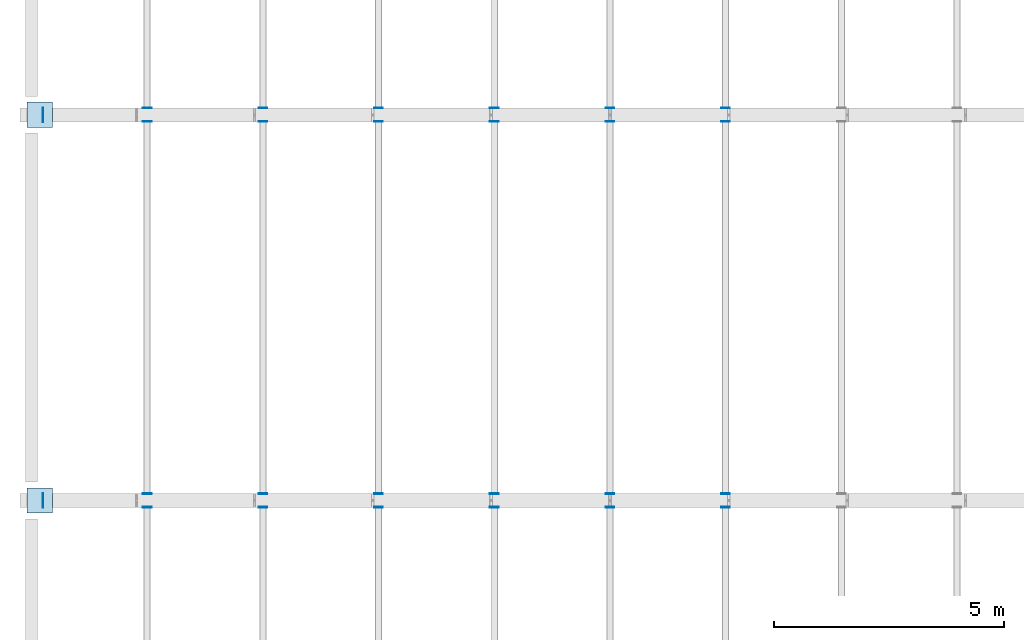
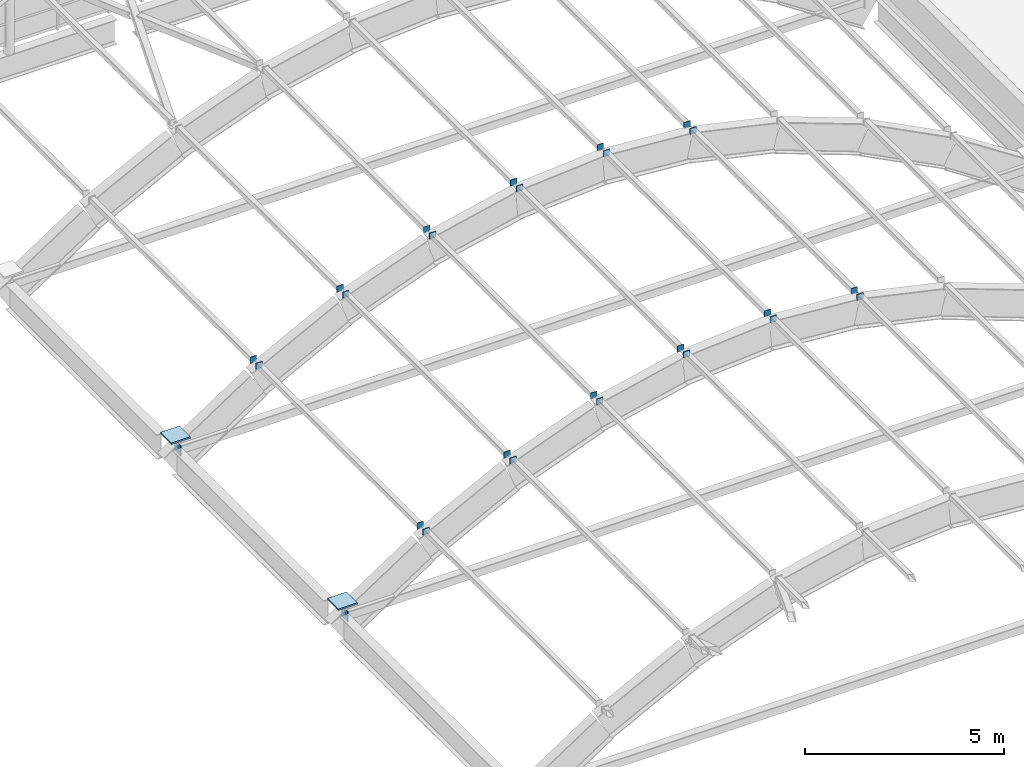
# One storey, part 106 of 130: 28 plates.
"""IFC4 building model written with IfcOpenShell, lengths in metres."""

from ifc_helpers import new_model, si_unit, direction, frame, origin, origin_2d, place, context, subcontext, project, spatial, rectangle, extrude, material, layer, layer_set, type_object, element, save


model = new_model("IFC4")

# Units and contexts
model_context = context("Model", 3, precision=1e-05, world=origin(), true_north=direction((0.0, 1.0)))
body_context = subcontext(model_context, "Body", "Model", "MODEL_VIEW")
ifc_project = project(units=[si_unit("LENGTHUNIT", "METRE"), si_unit("AREAUNIT", "SQUARE_METRE"), si_unit("VOLUMEUNIT", "CUBIC_METRE"), si_unit("PLANEANGLEUNIT", "RADIAN"), si_unit("MASSUNIT", "GRAM", prefix="KILO")], contexts=[model_context])

# Site, building, storey
site_placement = place(None, origin())
site = spatial("IfcSite", under=ifc_project, at=site_placement, CompositionType="ELEMENT")
building_placement = place(site_placement, origin())
building = spatial("IfcBuilding", under=site, at=building_placement, Name="Vireocrest Preparatory School", CompositionType="ELEMENT")
storey_placement = place(building_placement, frame((0.0, 0.0, 9.0)))
storey = spatial("IfcBuildingStorey", under=building, at=storey_placement, Name="L02", CompositionType="ELEMENT", Elevation=9.0)

# Plates
ifc_material = material(Name="Structural steel ASTM A572 Grade 50", Category="steel")
ifc_layer_1 = layer(ifc_material, 0.0458984375)
ifc_layer_set_1 = layer_set([ifc_layer_1], Name="Structural steel ASTM A572 Grade 50")
plate_type_1 = type_object("IfcPlateType", Name="Barrel-Vault Springing Gusset Shoe Plate 46", PredefinedType="SHEET", material=ifc_layer_set_1)
for number, where, z_axis, x_axis, name in (
    (1, (0.179931640625, 27.0, -0.123046875), (0.0, 0.0, 1.0), (1.0, 0.0, 0.0), "Node AS1 Vault Springing Shoe VAULT_SPORTS-3W"),
    (2, (0.179931640625, 35.39990234375, -0.123046875), (0.0, 0.0, 1.0), (1.0, 0.0, 0.0), "Node AS1 Vault Springing Shoe VAULT_SPORTS-4W"),
):
    element("IfcPlate", number, at=place(storey_placement, frame(where, z_axis=z_axis, x_axis=x_axis)), inside=storey, type_object=plate_type_1, Name=name, PredefinedType="SHEET", context=body_context, shape_type="SweptSolid", body=[
        extrude(rectangle(XDim=0.550048828125, YDim=0.550048828125, at=origin_2d()), origin(), (0.0, 0.0, 1.0), 0.0458984375),
    ])
ifc_layer_2 = layer(ifc_material, 0.02001953125)
ifc_layer_set_2 = layer_set([ifc_layer_2], Name="Structural steel ASTM A572 Grade 50")
plate_type_2 = type_object("IfcPlateType", Name="Hollow Section Steel End Cap Plate 20", PredefinedType="SHEET", material=ifc_layer_set_2)
for number, where, z_axis, x_axis, name in (
    (3, (0.25, 27.0, -0.671142578125), (0.0, 0.0, 1.0), (1.0, 0.0, 0.0), "End Cap Plate CP1 VAULT_SPORTS Tie 3W"),
    (4, (0.25, 35.39990234375, -0.671142578125), (0.0, 0.0, 1.0), (1.0, 0.0, 0.0), "End Cap Plate CP1 VAULT_SPORTS Tie 4W"),
):
    element("IfcPlate", number, at=place(storey_placement, frame(where, z_axis=z_axis, x_axis=x_axis)), inside=storey, type_object=plate_type_2, Name=name, PredefinedType="SHEET", context=body_context, shape_type="SweptSolid", body=[
        extrude(rectangle(XDim=0.02001953125, YDim=0.31396484375, at=origin_2d()), origin(), (0.0, 0.0, 1.0), 0.31396484375),
    ])
ifc_layer_3 = layer(ifc_material, 0.01611328125)
ifc_layer_set_3 = layer_set([ifc_layer_3], Name="Structural steel ASTM A572 Grade 50")
plate_type_3 = type_object("IfcPlateType", Name="Sports Vault Purlin Steel End Cap Plate 16", PredefinedType="SHEET", material=ifc_layer_set_3)
for number, where, z_axis, x_axis, name in (
    (5, (2.52001953125, 26.8525390625, 1.227783203125), (0.0, 0.0, 1.0), (1.0, 0.0, 0.0), "Purlin End Cap CP2 VAULT_SPORTS B2-N-2"),
    (6, (5.0400390625, 26.8525390625, 2.52685546875), (0.0, 0.0, 1.0), (1.0, 0.0, 0.0), "Purlin End Cap CP2 VAULT_SPORTS B2-N-3"),
    (7, (7.56005859375, 26.8525390625, 3.4580078125), (0.0, 0.0, 1.0), (1.0, 0.0, 0.0), "Purlin End Cap CP2 VAULT_SPORTS B2-N-4"),
    (8, (10.080078125, 26.8525390625, 4.02099609375), (0.0, 0.0, 1.0), (1.0, 0.0, 0.0), "Purlin End Cap CP2 VAULT_SPORTS B2-N-5"),
    (9, (12.60009765625, 26.8525390625, 4.21630859375), (0.0, 0.0, 1.0), (1.0, 0.0, 0.0), "Purlin End Cap CP2 VAULT_SPORTS B2-N-6"),
    (10, (15.1201171875, 26.8525390625, 4.02099609375), (0.0, 0.0, 1.0), (1.0, 0.0, 0.0), "Purlin End Cap CP2 VAULT_SPORTS B2-N-7"),
    (11, (2.52001953125, 27.1474609375, 1.227783203125), (0.0, 0.0, 1.0), (1.0, 0.0, 0.0), "Purlin End Cap CP2 VAULT_SPORTS B3-S-2"),
    (12, (2.52001953125, 35.25244140625, 1.227783203125), (0.0, 0.0, 1.0), (1.0, 0.0, 0.0), "Purlin End Cap CP2 VAULT_SPORTS B3-N-2"),
    (13, (5.0400390625, 27.1474609375, 2.52685546875), (0.0, 0.0, 1.0), (1.0, 0.0, 0.0), "Purlin End Cap CP2 VAULT_SPORTS B3-S-3"),
    (14, (5.0400390625, 35.25244140625, 2.52685546875), (0.0, 0.0, 1.0), (1.0, 0.0, 0.0), "Purlin End Cap CP2 VAULT_SPORTS B3-N-3"),
    (15, (7.56005859375, 27.1474609375, 3.4580078125), (0.0, 0.0, 1.0), (1.0, 0.0, 0.0), "Purlin End Cap CP2 VAULT_SPORTS B3-S-4"),
    (16, (7.56005859375, 35.25244140625, 3.4580078125), (0.0, 0.0, 1.0), (1.0, 0.0, 0.0), "Purlin End Cap CP2 VAULT_SPORTS B3-N-4"),
    (17, (10.080078125, 27.1474609375, 4.02099609375), (0.0, 0.0, 1.0), (1.0, 0.0, 0.0), "Purlin End Cap CP2 VAULT_SPORTS B3-S-5"),
    (18, (10.080078125, 35.25244140625, 4.02099609375), (0.0, 0.0, 1.0), (1.0, 0.0, 0.0), "Purlin End Cap CP2 VAULT_SPORTS B3-N-5"),
    (19, (12.60009765625, 27.1474609375, 4.21630859375), (0.0, 0.0, 1.0), (1.0, 0.0, 0.0), "Purlin End Cap CP2 VAULT_SPORTS B3-S-6"),
    (20, (12.60009765625, 35.25244140625, 4.21630859375), (0.0, 0.0, 1.0), (1.0, 0.0, 0.0), "Purlin End Cap CP2 VAULT_SPORTS B3-N-6"),
    (21, (15.1201171875, 27.1474609375, 4.02099609375), (0.0, 0.0, 1.0), (1.0, 0.0, 0.0), "Purlin End Cap CP2 VAULT_SPORTS B3-S-7"),
    (22, (15.1201171875, 35.25244140625, 4.02099609375), (0.0, 0.0, 1.0), (1.0, 0.0, 0.0), "Purlin End Cap CP2 VAULT_SPORTS B3-N-7"),
    (23, (2.52001953125, 35.547607421875, 1.227783203125), (0.0, 0.0, 1.0), (1.0, 0.0, 0.0), "Purlin End Cap CP2 VAULT_SPORTS B4-S-2"),
    (24, (5.0400390625, 35.547607421875, 2.52685546875), (0.0, 0.0, 1.0), (1.0, 0.0, 0.0), "Purlin End Cap CP2 VAULT_SPORTS B4-S-3"),
    (25, (7.56005859375, 35.547607421875, 3.4580078125), (0.0, 0.0, 1.0), (1.0, 0.0, 0.0), "Purlin End Cap CP2 VAULT_SPORTS B4-S-4"),
    (26, (10.080078125, 35.547607421875, 4.02099609375), (0.0, 0.0, 1.0), (1.0, 0.0, 0.0), "Purlin End Cap CP2 VAULT_SPORTS B4-S-5"),
    (27, (12.60009765625, 35.547607421875, 4.21630859375), (0.0, 0.0, 1.0), (1.0, 0.0, 0.0), "Purlin End Cap CP2 VAULT_SPORTS B4-S-6"),
    (28, (15.1201171875, 35.547607421875, 4.02099609375), (0.0, 0.0, 1.0), (1.0, 0.0, 0.0), "Purlin End Cap CP2 VAULT_SPORTS B4-S-7"),
):
    element("IfcPlate", number, at=place(storey_placement, frame(where, z_axis=z_axis, x_axis=x_axis)), inside=storey, type_object=plate_type_3, Name=name, PredefinedType="SHEET", context=body_context, shape_type="SweptSolid", body=[
        extrude(rectangle(XDim=0.18798828125, YDim=0.01611328125, at=origin_2d()), origin(), (0.0, 0.0, 1.0), 0.18798828125),
    ])

save(model, "model.ifc")
